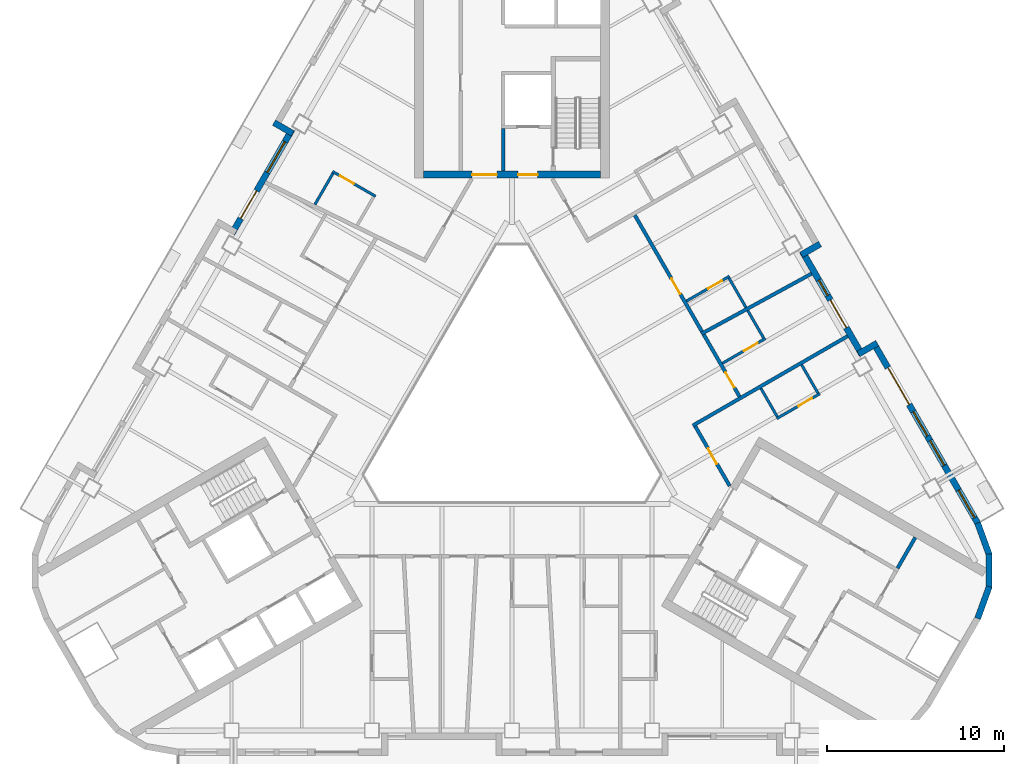
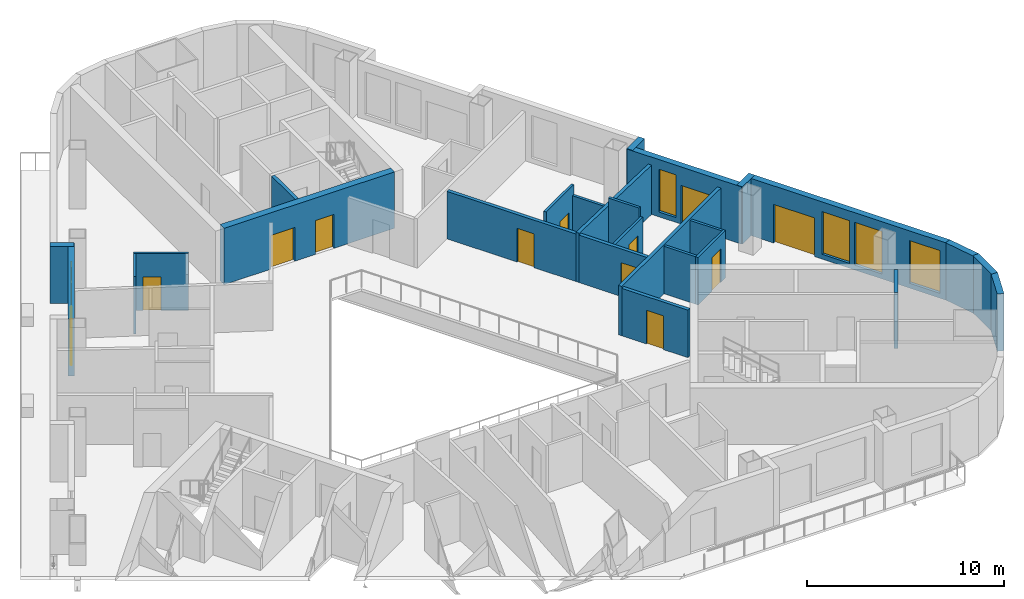
# One storey, part 6 of 14: 26 walls, 12 doors, 5 windows, 17 openings.
"""IFC4 building model written with IfcOpenShell, lengths in metres."""

from ifc_helpers import new_model, si_unit, direction, frame, frame_2d, origin, place, context, subcontext, project, spatial, rectangle, extrude, material, layer, layer_set, type_object, element, fill, save


model = new_model("IFC4")

# Units and contexts
model_context = context("Model", 3, precision=1e-05, world=origin(), true_north=direction((0.0, 1.0)))
body_context = subcontext(model_context, "Body", "Model", "MODEL_VIEW")
ifc_project = project(units=[si_unit("LENGTHUNIT", "METRE"), si_unit("AREAUNIT", "SQUARE_METRE"), si_unit("VOLUMEUNIT", "CUBIC_METRE"), si_unit("PLANEANGLEUNIT", "RADIAN"), si_unit("MASSUNIT", "GRAM", prefix="KILO")], contexts=[model_context])

# Site, building, storey
site_placement = place(None, origin())
site = spatial("IfcSite", under=ifc_project, at=site_placement, CompositionType="ELEMENT")
building_placement = place(site_placement, origin())
building = spatial("IfcBuilding", under=site, at=building_placement, Name="Apuvela Tower Hotel", CompositionType="ELEMENT")
storey_placement = place(building_placement, frame((0.0, 0.0, 150.300048828125)))
storey = spatial("IfcBuildingStorey", under=building, at=storey_placement, Name="L35", CompositionType="ELEMENT", Elevation=150.300048828125)

# Wall, openings, doors
ifc_material_1 = material(Name="Concrete C50/60", Category="concrete")
ifc_layer_1 = layer(ifc_material_1, 0.39990234375)
ifc_layer_set_1 = layer_set([ifc_layer_1], Name="COR-WALL-CORE-400")
wall_type_1 = type_object("IfcWallType", Name="COR-WALL-CORE-400", PredefinedType="SHEAR", material=ifc_layer_set_1)
wall_1_placement = place(storey_placement, frame((5.0, 13.10009765625, 0.0), z_axis=(0.0, 0.0, 1.0), x_axis=(-1.0, 0.0, 0.0)))
wall_1 = element("IfcWall", 1, at=wall_1_placement, inside=storey, type_object=wall_type_1, Name="Core wall N", PredefinedType="SHEAR", context=body_context, shape_type="SweptSolid", body=[
    extrude(rectangle(XDim=10.0, YDim=0.39990234375, at=frame_2d((5.0, 0.0))), origin(), (0.0, 0.0, 1.0), 3.5),
])
opening_1_placement = place(wall_1_placement, frame((3.550048828125, 0.0, 0.0)))
opening_1 = element("IfcOpeningElement", 2, at=opening_1_placement, cuts=wall_1, Name="Opening N-FD", PredefinedType="OPENING", context=body_context, shape_type="SweptSolid", body=[
    extrude(rectangle(XDim=1.10009765625, YDim=2.10009765625, at=frame_2d((0.550048828125, 1.050048828125))), frame((0.0, 0.2099609375, 0.0), z_axis=(0.0, -1.0, 0.0), x_axis=(1.0, 0.0, 0.0)), (0.0, 0.0, 1.0), 0.419921875),
])
opening_2_placement = place(wall_1_placement, frame((5.85009765625, 0.0, 0.0)))
opening_2 = element("IfcOpeningElement", 3, at=opening_2_placement, cuts=wall_1, Name="Opening N-GD", PredefinedType="OPENING", context=body_context, shape_type="SweptSolid", body=[
    extrude(rectangle(XDim=1.39990234375, YDim=2.10009765625, at=frame_2d((0.699951171875, 1.050048828125))), frame((0.0, 0.2099609375, 0.0), z_axis=(0.0, -1.0, 0.0), x_axis=(1.0, 0.0, 0.0)), (0.0, 0.0, 1.0), 0.419921875),
])
ifc_material_2 = material(Name="Steel fire door, powder coated", Category="steel")
door_type_1 = type_object("IfcDoorType", Name="COR-FD-1100", OperationType="NOTDEFINED", PredefinedType="DOOR", material=ifc_material_2)
door_1_placement = place(opening_1_placement, frame((1.10009765625, 0.0, 0.0), z_axis=(0.0, 0.0, 1.0), x_axis=(-1.0, 0.0, 0.0)))
door_1 = element("IfcDoor", 4, at=door_1_placement, inside=storey, type_object=door_type_1, Name="Firefighting lobby door N-FD", OperationType="SINGLE_SWING_LEFT", OverallHeight=2.10009765625, OverallWidth=1.10009765625, PredefinedType="DOOR", context=body_context, shape_type="SweptSolid", body=[
    extrude(rectangle(XDim=1.10009765625, YDim=2.10009765625, at=frame_2d((0.550048828125, 1.050048828125))), frame((0.0, 0.02490234375, 0.0), z_axis=(0.0, -1.0, 0.0), x_axis=(1.0, 0.0, 0.0)), (0.0, 0.0, 1.0), 0.050048828125),
])
fill(opening_1, door_1)
ifc_material_3 = material(Name="Glazed steel fire door", Category="steel")
door_type_2 = type_object("IfcDoorType", Name="COR-GD-1400", OperationType="DOUBLE_DOOR_SINGLE_SWING", PredefinedType="DOOR", material=ifc_material_3)
door_2_placement = place(opening_2_placement, frame((1.39990234375, 0.0, 0.0), z_axis=(0.0, 0.0, 1.0), x_axis=(-1.0, 0.0, 0.0)))
door_2 = element("IfcDoor", 5, at=door_2_placement, inside=storey, type_object=door_type_2, Name="Lift lobby door N-GD", OperationType="DOUBLE_DOOR_SINGLE_SWING", OverallHeight=2.10009765625, OverallWidth=1.39990234375, PredefinedType="DOOR", context=body_context, shape_type="SweptSolid", body=[
    extrude(rectangle(XDim=1.39990234375, YDim=2.10009765625, at=frame_2d((0.699951171875, 1.050048828125))), frame((0.0, 0.02490234375, 0.0), z_axis=(0.0, -1.0, 0.0), x_axis=(1.0, 0.0, 0.0)), (0.0, 0.0, 1.0), 0.050048828125),
])
fill(opening_2, door_2)

# Walls
ifc_layer_2 = layer(ifc_material_1, 0.199951171875)
ifc_layer_set_2 = layer_set([ifc_layer_2], Name="COR-WALL-SHAFT-200")
wall_type_2 = type_object("IfcWallType", Name="COR-WALL-SHAFT-200", PredefinedType="SHEAR", material=ifc_layer_set_2)
wall_2_placement = place(storey_placement, frame((-0.5, 13.300048828125, 0.0), z_axis=(0.0, 0.0, 1.0), x_axis=(0.0, 1.0, 0.0)))
element("IfcWall", 6, at=wall_2_placement, inside=storey, type_object=wall_type_2, Name="Shaft wall N", PredefinedType="SHEAR", context=body_context, shape_type="SweptSolid", body=[
    extrude(rectangle(XDim=2.39990234375, YDim=0.199951171875, at=frame_2d((1.199951171875, 0.0))), origin(), (0.0, 0.0, 1.0), 3.5),
])
wall_3_placement = place(storey_placement, frame((21.73046875, -9.081787109375, 0.0), z_axis=(0.0, 0.0, 1.0), x_axis=(0.50002537861, 0.866010750942, 0.0)))
element("IfcWall", 7, at=wall_3_placement, inside=storey, type_object=wall_type_2, Name="Shaft wall SE", PredefinedType="SHEAR", context=body_context, shape_type="SweptSolid", body=[
    extrude(rectangle(XDim=2.0, YDim=0.199951171875, at=frame_2d((1.0, 0.0))), origin(), (0.0, 0.0, 1.0), 3.5),
])
ifc_material_4 = material(Name="Concrete C40/50, dark pigmented precast panel", Category="concrete")
ifc_layer_3 = layer(ifc_material_4, 0.35009765625)
ifc_layer_set_3 = layer_set([ifc_layer_3], Name="ENV-WALL-350")
wall_type_3 = type_object("IfcWallType", Name="ENV-WALL-350", PredefinedType="SOLIDWALL", material=ifc_layer_set_3)
wall_4_placement = place(storey_placement, frame((-13.41259765625, 16.02880859375, 0.0), z_axis=(0.0, 0.0, 1.0), x_axis=(0.866005645448, -0.500034220881, 0.0)))
element("IfcWall", 8, at=wall_4_placement, inside=storey, type_object=wall_type_3, Name="External wall L35-02", PredefinedType="SOLIDWALL", context=body_context, shape_type="SweptSolid", body=[
    extrude(rectangle(XDim=1.22021484375, YDim=0.35009765625, at=frame_2d((0.610107421875, 0.0))), origin(), (0.0, 0.0, 1.0), 3.550048828125),
])

# Wall, openings, door, window
wall_5_placement = place(storey_placement, frame((-12.408935546875, 15.616943359375, 0.0), z_axis=(0.0, 0.0, 1.0), x_axis=(-0.500003597184, -0.866023326939, 0.0)))
wall_5 = element("IfcWall", 9, at=wall_5_placement, inside=storey, type_object=wall_type_3, Name="External wall L35-03", PredefinedType="SOLIDWALL", context=body_context, shape_type="SweptSolid", body=[
    extrude(rectangle(XDim=6.740234375, YDim=0.35009765625, at=frame_2d((3.3701171875, 0.0))), origin(), (0.0, 0.0, 1.0), 3.550048828125),
])
opening_3_placement = place(wall_5_placement, frame((0.77001953125, 0.0, 0.300048828125)))
opening_3 = element("IfcOpeningElement", 10, at=opening_3_placement, cuts=wall_5, Name="Opening WN20", PredefinedType="OPENING", context=body_context, shape_type="SweptSolid", body=[
    extrude(rectangle(XDim=2.0, YDim=2.64990234375, at=frame_2d((1.0, 1.324951171875))), frame((0.0, 0.18505859375, 0.0), z_axis=(0.0, -1.0, 0.0), x_axis=(1.0, 0.0, 0.0)), (0.0, 0.0, 1.0), 0.3701171875),
])
opening_4_placement = place(wall_5_placement, frame((3.963623046875, 0.0, 0.0)))
opening_4 = element("IfcOpeningElement", 11, at=opening_4_placement, cuts=wall_5, Name="Opening BD18", PredefinedType="OPENING", context=body_context, shape_type="SweptSolid", body=[
    extrude(rectangle(XDim=1.800048828125, YDim=2.39990234375, at=frame_2d((0.89990234375, 1.199951171875))), frame((0.0, 0.18505859375, 0.0), z_axis=(0.0, -1.0, 0.0), x_axis=(1.0, 0.0, 0.0)), (0.0, 0.0, 1.0), 0.3701171875),
])
ifc_material_5 = material(Name="Aluminium 6063-T6, dark bronze anodised frame with dark tinted laminated glass", Category="aluminium")
door_type_3 = type_object("IfcDoorType", Name="ENV-DOOR-BALCONY-1800x2400", OperationType="SLIDING_TO_LEFT", PredefinedType="DOOR", material=ifc_material_5)
door_3_placement = place(opening_4_placement, frame((1.800048828125, 0.0, 0.0), z_axis=(0.0, 0.0, 1.0), x_axis=(-1.0, 0.0, 0.0)))
door_3 = element("IfcDoor", 12, at=door_3_placement, inside=storey, type_object=door_type_3, Name="Balcony door BD18", OperationType="SLIDING_TO_LEFT", OverallHeight=2.39990234375, OverallWidth=1.800048828125, PredefinedType="DOOR", context=body_context, shape_type="SweptSolid", body=[
    extrude(rectangle(XDim=1.800048828125, YDim=2.39990234375, at=frame_2d((0.89990234375, 1.199951171875))), frame((0.0, 0.02490234375, 0.0), z_axis=(0.0, -1.0, 0.0), x_axis=(1.0, 0.0, 0.0)), (0.0, 0.0, 1.0), 0.050048828125),
])
fill(opening_4, door_3)
ifc_material_6 = material(Name="Glass, dark tinted laminated insulated glazing unit", Category="glass")
window_type_1 = type_object("IfcWindowType", Name="ENV-WIN-2000x2650", PartitioningType="SINGLE_PANEL", PredefinedType="WINDOW", material=ifc_material_6)
window_1_placement = place(opening_3_placement, origin())
window_1 = element("IfcWindow", 13, at=window_1_placement, inside=storey, type_object=window_type_1, Name="Window WN20", OverallHeight=2.64990234375, OverallWidth=2.0, PartitioningType="SINGLE_PANEL", PredefinedType="WINDOW", context=body_context, shape_type="SweptSolid", body=[
    extrude(rectangle(XDim=2.0, YDim=2.64990234375, at=frame_2d((1.0, 1.324951171875))), frame((0.0, 0.030029296875, 0.0), z_axis=(0.0, -1.0, 0.0), x_axis=(1.0, 0.0, 0.0)), (0.0, 0.0, 1.0), 0.06005859375),
])
fill(opening_3, window_1)

# Walls
for number, where, z_axis, x_axis, name in (
    (14, (26.24365234375, -11.920166015625, 0.0), (0.0, 0.0, 1.0), (0.342030395486, 0.939688889242, 0.0), "External wall L35-30"),
    (15, (26.88623046875, -10.18505859375, 0.0), (0.0, 0.0, 1.0), (0.0, 1.0, 0.0), "External wall L35-31"),
    (16, (26.89697265625, -8.334716796875, 0.0), (0.0, 0.0, 1.0), (-0.342030395486, 0.939688889242, 0.0), "External wall L35-32"),
):
    element("IfcWall", number, at=place(storey_placement, frame(where, z_axis=z_axis, x_axis=x_axis)), inside=storey, type_object=wall_type_3, Name=name, PredefinedType="SOLIDWALL", context=body_context, shape_type="SweptSolid", body=[
        extrude(rectangle(XDim=1.91015625, YDim=0.35009765625, at=frame_2d((0.955078125, 0.0))), origin(), (0.0, 0.0, 1.0), 3.550048828125),
    ])

# Wall, openings, door, windows
wall_6_placement = place(storey_placement, frame((26.256591796875, -6.5673828125, 0.0), z_axis=(0.0, 0.0, 1.0), x_axis=(-0.500023526245, 0.866011820475, 0.0)))
wall_6 = element("IfcWall", 17, at=wall_6_placement, inside=storey, type_object=wall_type_3, Name="External wall L35-33", PredefinedType="SOLIDWALL", context=body_context, shape_type="SweptSolid", body=[
    extrude(rectangle(XDim=11.81591796875, YDim=0.35009765625, at=frame_2d((5.907958984375, 0.0))), origin(), (0.0, 0.0, 1.0), 3.550048828125),
])
opening_5_placement = place(wall_6_placement, frame((0.380126953125, 0.0, 0.300048828125)))
opening_5 = element("IfcOpeningElement", 18, at=opening_5_placement, cuts=wall_6, Name="Opening WN18", PredefinedType="OPENING", context=body_context, shape_type="SweptSolid", body=[
    extrude(rectangle(XDim=1.800048828125, YDim=2.64990234375, at=frame_2d((0.89990234375, 1.324951171875))), frame((0.0, 0.18505859375, 0.0), z_axis=(0.0, -1.0, 0.0), x_axis=(1.0, 0.0, 0.0)), (0.0, 0.0, 1.0), 0.3701171875),
])
opening_6_placement = place(wall_6_placement, frame((7.7412109375, 0.0, 0.0)))
opening_6 = element("IfcOpeningElement", 19, at=opening_6_placement, cuts=wall_6, Name="Opening BD24", PredefinedType="OPENING", context=body_context, shape_type="SweptSolid", body=[
    extrude(rectangle(XDim=2.39990234375, YDim=2.39990234375, at=frame_2d((1.199951171875, 1.199951171875))), frame((0.0, 0.18505859375, 0.0), z_axis=(0.0, -1.0, 0.0), x_axis=(1.0, 0.0, 0.0)), (0.0, 0.0, 1.0), 0.3701171875),
])
opening_7_placement = place(wall_6_placement, frame((3.791015625, 0.0, 0.300048828125)))
opening_7 = element("IfcOpeningElement", 20, at=opening_7_placement, cuts=wall_6, Name="Opening WN16", PredefinedType="OPENING", context=body_context, shape_type="SweptSolid", body=[
    extrude(rectangle(XDim=1.60009765625, YDim=2.64990234375, at=frame_2d((0.800048828125, 1.324951171875))), frame((0.0, 0.18505859375, 0.0), z_axis=(0.0, -1.0, 0.0), x_axis=(1.0, 0.0, 0.0)), (0.0, 0.0, 1.0), 0.3701171875),
])
opening_8_placement = place(wall_6_placement, frame((5.69091796875, 0.0, 0.300048828125)))
opening_8 = element("IfcOpeningElement", 21, at=opening_8_placement, cuts=wall_6, Name="Opening WN16", PredefinedType="OPENING", context=body_context, shape_type="SweptSolid", body=[
    extrude(rectangle(XDim=1.60009765625, YDim=2.64990234375, at=frame_2d((0.800048828125, 1.324951171875))), frame((0.0, 0.18505859375, 0.0), z_axis=(0.0, -1.0, 0.0), x_axis=(1.0, 0.0, 0.0)), (0.0, 0.0, 1.0), 0.3701171875),
])
door_type_4 = type_object("IfcDoorType", Name="ENV-DOOR-BALCONY-2400x2400", OperationType="SLIDING_TO_LEFT", PredefinedType="DOOR", material=ifc_material_5)
door_4_placement = place(opening_6_placement, frame((2.39990234375, 0.0, 0.0), z_axis=(0.0, 0.0, 1.0), x_axis=(-1.0, 0.0, 0.0)))
door_4 = element("IfcDoor", 22, at=door_4_placement, inside=storey, type_object=door_type_4, Name="Balcony door BD24", OperationType="SLIDING_TO_LEFT", OverallHeight=2.39990234375, OverallWidth=2.39990234375, PredefinedType="DOOR", context=body_context, shape_type="SweptSolid", body=[
    extrude(rectangle(XDim=2.39990234375, YDim=2.39990234375, at=frame_2d((1.199951171875, 1.199951171875))), frame((0.0, 0.02490234375, 0.0), z_axis=(0.0, -1.0, 0.0), x_axis=(1.0, 0.0, 0.0)), (0.0, 0.0, 1.0), 0.050048828125),
])
fill(opening_6, door_4)
window_type_2 = type_object("IfcWindowType", Name="ENV-WIN-1600x2650", PartitioningType="SINGLE_PANEL", PredefinedType="WINDOW", material=ifc_material_6)
window_2_placement = place(opening_7_placement, origin())
window_2 = element("IfcWindow", 23, at=window_2_placement, inside=storey, type_object=window_type_2, Name="Window WN16", OverallHeight=2.64990234375, OverallWidth=1.60009765625, PartitioningType="SINGLE_PANEL", PredefinedType="WINDOW", context=body_context, shape_type="SweptSolid", body=[
    extrude(rectangle(XDim=1.60009765625, YDim=2.64990234375, at=frame_2d((0.800048828125, 1.324951171875))), frame((0.0, 0.030029296875, 0.0), z_axis=(0.0, -1.0, 0.0), x_axis=(1.0, 0.0, 0.0)), (0.0, 0.0, 1.0), 0.06005859375),
])
fill(opening_7, window_2)
window_3_placement = place(opening_8_placement, origin())
window_3 = element("IfcWindow", 24, at=window_3_placement, inside=storey, type_object=window_type_2, Name="Window WN16", OverallHeight=2.64990234375, OverallWidth=1.60009765625, PartitioningType="SINGLE_PANEL", PredefinedType="WINDOW", context=body_context, shape_type="SweptSolid", body=[
    extrude(rectangle(XDim=1.60009765625, YDim=2.64990234375, at=frame_2d((0.800048828125, 1.324951171875))), frame((0.0, 0.030029296875, 0.0), z_axis=(0.0, -1.0, 0.0), x_axis=(1.0, 0.0, 0.0)), (0.0, 0.0, 1.0), 0.06005859375),
])
fill(opening_8, window_3)
window_type_3 = type_object("IfcWindowType", Name="ENV-WIN-1800x2650", PartitioningType="SINGLE_PANEL", PredefinedType="WINDOW", material=ifc_material_6)
window_4_placement = place(opening_5_placement, origin())
window_4 = element("IfcWindow", 25, at=window_4_placement, inside=storey, type_object=window_type_3, Name="Window WN18", OverallHeight=2.64990234375, OverallWidth=1.800048828125, PartitioningType="SINGLE_PANEL", PredefinedType="WINDOW", context=body_context, shape_type="SweptSolid", body=[
    extrude(rectangle(XDim=1.800048828125, YDim=2.64990234375, at=frame_2d((0.89990234375, 1.324951171875))), frame((0.0, 0.030029296875, 0.0), z_axis=(0.0, -1.0, 0.0), x_axis=(1.0, 0.0, 0.0)), (0.0, 0.0, 1.0), 0.06005859375),
])
fill(opening_5, window_4)

# Wall
wall_7_placement = place(storey_placement, frame((20.587646484375, 3.601318359375, 0.0), z_axis=(0.0, 0.0, 1.0), x_axis=(-0.866005645448, -0.500034220881, 0.0)))
element("IfcWall", 26, at=wall_7_placement, inside=storey, type_object=wall_type_3, Name="External wall L35-34", PredefinedType="SOLIDWALL", context=body_context, shape_type="SweptSolid", body=[
    extrude(rectangle(XDim=1.22021484375, YDim=0.35009765625, at=frame_2d((0.610107421875, 0.0))), origin(), (0.0, 0.0, 1.0), 3.550048828125),
])

# Wall, openings, door, window
wall_8_placement = place(storey_placement, frame((19.72900390625, 2.93798828125, 0.0), z_axis=(0.0, 0.0, 1.0), x_axis=(-0.499976430342, 0.866039011305, 0.0)))
wall_8 = element("IfcWall", 27, at=wall_8_placement, inside=storey, type_object=wall_type_3, Name="External wall L35-35", PredefinedType="SOLIDWALL", context=body_context, shape_type="SweptSolid", body=[
    extrude(rectangle(XDim=6.739990234375, YDim=0.35009765625, at=frame_2d((3.3701171875, 0.0))), origin(), (0.0, 0.0, 1.0), 3.550048828125),
])
opening_9_placement = place(wall_8_placement, frame((1.77001953125, 0.0, 0.0)))
opening_9 = element("IfcOpeningElement", 28, at=opening_9_placement, cuts=wall_8, Name="Opening BD18", PredefinedType="OPENING", context=body_context, shape_type="SweptSolid", body=[
    extrude(rectangle(XDim=1.800048828125, YDim=2.39990234375, at=frame_2d((0.89990234375, 1.199951171875))), frame((0.0, 0.18505859375, 0.0), z_axis=(0.0, -1.0, 0.0), x_axis=(1.0, 0.0, 0.0)), (0.0, 0.0, 1.0), 0.3701171875),
])
opening_10_placement = place(wall_8_placement, frame((3.869873046875, 0.0, 0.300048828125)))
opening_10 = element("IfcOpeningElement", 29, at=opening_10_placement, cuts=wall_8, Name="Opening WN10", PredefinedType="OPENING", context=body_context, shape_type="SweptSolid", body=[
    extrude(rectangle(XDim=1.0, YDim=2.64990234375, at=frame_2d((0.5, 1.324951171875))), frame((0.0, 0.18505859375, 0.0), z_axis=(0.0, -1.0, 0.0), x_axis=(1.0, 0.0, 0.0)), (0.0, 0.0, 1.0), 0.3701171875),
])
door_5_placement = place(opening_9_placement, frame((1.800048828125, 0.0, 0.0), z_axis=(0.0, 0.0, 1.0), x_axis=(-1.0, 0.0, 0.0)))
door_5 = element("IfcDoor", 30, at=door_5_placement, inside=storey, type_object=door_type_3, Name="Balcony door BD18", OperationType="SLIDING_TO_LEFT", OverallHeight=2.39990234375, OverallWidth=1.800048828125, PredefinedType="DOOR", context=body_context, shape_type="SweptSolid", body=[
    extrude(rectangle(XDim=1.800048828125, YDim=2.39990234375, at=frame_2d((0.89990234375, 1.199951171875))), frame((0.0, 0.02490234375, 0.0), z_axis=(0.0, -1.0, 0.0), x_axis=(1.0, 0.0, 0.0)), (0.0, 0.0, 1.0), 0.050048828125),
])
fill(opening_9, door_5)
window_type_4 = type_object("IfcWindowType", Name="ENV-WIN-1000x2650", PartitioningType="SINGLE_PANEL", PredefinedType="WINDOW", material=ifc_material_6)
window_5_placement = place(opening_10_placement, origin())
window_5 = element("IfcWindow", 31, at=window_5_placement, inside=storey, type_object=window_type_4, Name="Window WN10", OverallHeight=2.64990234375, OverallWidth=1.0, PartitioningType="SINGLE_PANEL", PredefinedType="WINDOW", context=body_context, shape_type="SweptSolid", body=[
    extrude(rectangle(XDim=1.0, YDim=2.64990234375, at=frame_2d((0.5, 1.324951171875))), frame((0.0, 0.030029296875, 0.0), z_axis=(0.0, -1.0, 0.0), x_axis=(1.0, 0.0, 0.0)), (0.0, 0.0, 1.0), 0.06005859375),
])
fill(opening_10, window_5)

# Walls
wall_9_placement = place(storey_placement, frame((16.305908203125, 8.5771484375, 0.0), z_axis=(0.0, 0.0, 1.0), x_axis=(0.866092288191, 0.499884134912, 0.0)))
element("IfcWall", 32, at=wall_9_placement, inside=storey, type_object=wall_type_3, Name="External wall L35-36", PredefinedType="SOLIDWALL", context=body_context, shape_type="SweptSolid", body=[
    extrude(rectangle(XDim=1.219970703125, YDim=0.35009765625, at=frame_2d((0.60986328125, 0.0))), origin(), (0.0, 0.0, 1.0), 3.550048828125),
])
ifc_material_7 = material(Name="Gypsum board partition on twin steel stud", Category="steel")
ifc_layer_4 = layer(ifc_material_7, 0.199951171875)
ifc_layer_set_4 = layer_set([ifc_layer_4], Name="GST-PW1")
wall_type_4 = type_object("IfcWallType", Name="GST-PW1", PredefinedType="PARTITIONING", material=ifc_layer_set_4)
wall_10_placement = place(storey_placement, frame((18.91748046875, 3.993896484375, 0.0), z_axis=(0.0, 0.0, 1.0), x_axis=(-0.866022637375, -0.500004791531, 0.0)))
element("IfcWall", 33, at=wall_10_placement, inside=storey, type_object=wall_type_4, Name="L35 partition 05", PredefinedType="PARTITIONING", context=body_context, shape_type="SweptSolid", body=[
    extrude(rectangle(XDim=10.080078125, YDim=0.199951171875, at=frame_2d((5.0400390625, 0.0))), origin(), (0.0, 0.0, 1.0), 3.06005859375),
])
wall_11_placement = place(storey_placement, frame((16.884521484375, 7.515380859375, 0.0), z_axis=(0.0, 0.0, 1.0), x_axis=(-0.87760821498, -0.479378577952, 0.0)))
element("IfcWall", 34, at=wall_11_placement, inside=storey, type_object=wall_type_4, Name="L35 partition 06", PredefinedType="PARTITIONING", context=body_context, shape_type="SweptSolid", body=[
    extrude(rectangle(XDim=7.08203125, YDim=0.199951171875, at=frame_2d((3.541015625, 0.0))), origin(), (0.0, 0.0, 1.0), 3.06005859375),
])

# Wall, opening, door
ifc_material_8 = material(Name="Gypsum board corridor wall on twin steel stud, acoustic", Category="steel")
ifc_layer_5 = layer(ifc_material_8, 0.199951171875)
ifc_layer_set_5 = layer_set([ifc_layer_5], Name="GST-PW2")
wall_type_5 = type_object("IfcWallType", Name="GST-PW2", PredefinedType="PARTITIONING", material=ifc_layer_set_5)
wall_12_placement = place(storey_placement, frame((10.32470703125, -1.082763671875, 0.0), z_axis=(0.0, 0.0, 1.0), x_axis=(0.500008716408, -0.866020371305, 0.0)))
wall_12 = element("IfcWall", 35, at=wall_12_placement, inside=storey, type_object=wall_type_5, Name="L35 partition 28", PredefinedType="PARTITIONING", context=body_context, shape_type="SweptSolid", body=[
    extrude(rectangle(XDim=3.88818359375, YDim=0.199951171875, at=frame_2d((1.944091796875, 0.0))), origin(), (0.0, 0.0, 1.0), 2.949951171875),
])
opening_11_placement = place(wall_12_placement, frame((1.444091796875, 0.0, 0.0)))
opening_11 = element("IfcOpeningElement", 36, at=opening_11_placement, cuts=wall_12, Name="Opening GD12-12", PredefinedType="OPENING", context=body_context, shape_type="SweptSolid", body=[
    extrude(rectangle(XDim=1.0, YDim=2.10009765625, at=frame_2d((0.5, 1.050048828125))), frame((0.0, 0.10986328125, 0.0), z_axis=(0.0, -1.0, 0.0), x_axis=(1.0, 0.0, 0.0)), (0.0, 0.0, 1.0), 0.219970703125),
])
ifc_material_9 = material(Name="Timber door leaf in steel frame", Category="steel")
door_type_5 = type_object("IfcDoorType", Name="GST-D1", OperationType="NOTDEFINED", PredefinedType="DOOR", material=ifc_material_9)
door_6_placement = place(opening_11_placement, origin())
door_6 = element("IfcDoor", 37, at=door_6_placement, inside=storey, type_object=door_type_5, Name="Door L35-12", OperationType="SINGLE_SWING_LEFT", OverallHeight=2.10009765625, OverallWidth=1.0, PredefinedType="DOOR", context=body_context, shape_type="SweptSolid", body=[
    extrude(rectangle(XDim=1.0, YDim=2.10009765625, at=frame_2d((0.5, 1.050048828125))), frame((0.0, 0.02490234375, 0.0), z_axis=(0.0, -1.0, 0.0), x_axis=(1.0, 0.0, 0.0)), (0.0, 0.0, 1.0), 0.050048828125),
])
fill(opening_11, door_6)

wall_13_placement = place(storey_placement, frame((10.806884765625, 4.081787109375, 0.0), z_axis=(0.0, 0.0, 1.0), x_axis=(0.500040475235, -0.866002034136, 0.0)))
wall_13 = element("IfcWall", 38, at=wall_13_placement, inside=storey, type_object=wall_type_5, Name="L35 partition 32", PredefinedType="PARTITIONING", context=body_context, shape_type="SweptSolid", body=[
    extrude(rectangle(XDim=4.031494140625, YDim=0.199951171875, at=frame_2d((2.015625, 0.0))), origin(), (0.0, 0.0, 1.0), 2.949951171875),
])
opening_12_placement = place(wall_13_placement, frame((2.452392578125, 0.0, 0.0)))
opening_12 = element("IfcOpeningElement", 39, at=opening_12_placement, cuts=wall_13, Name="Opening GD12-14", PredefinedType="OPENING", context=body_context, shape_type="SweptSolid", body=[
    extrude(rectangle(XDim=1.0, YDim=2.10009765625, at=frame_2d((0.5, 1.050048828125))), frame((0.0, 0.10986328125, 0.0), z_axis=(0.0, -1.0, 0.0), x_axis=(1.0, 0.0, 0.0)), (0.0, 0.0, 1.0), 0.219970703125),
])
door_7_placement = place(opening_12_placement, origin())
door_7 = element("IfcDoor", 40, at=door_7_placement, inside=storey, type_object=door_type_5, Name="Door L35-14", OperationType="SINGLE_SWING_RIGHT", OverallHeight=2.10009765625, OverallWidth=1.0, PredefinedType="DOOR", context=body_context, shape_type="SweptSolid", body=[
    extrude(rectangle(XDim=1.0, YDim=2.10009765625, at=frame_2d((0.5, 1.050048828125))), frame((0.0, 0.02490234375, 0.0), z_axis=(0.0, -1.0, 0.0), x_axis=(1.0, 0.0, 0.0)), (0.0, 0.0, 1.0), 0.050048828125),
])
fill(opening_12, door_7)

wall_14_placement = place(storey_placement, frame((6.922607421875, 10.8095703125, 0.0), z_axis=(0.0, 0.0, 1.0), x_axis=(0.500007257026, -0.866021213898, 0.0)))
wall_14 = element("IfcWall", 41, at=wall_14_placement, inside=storey, type_object=wall_type_5, Name="L35 partition 35", PredefinedType="PARTITIONING", context=body_context, shape_type="SweptSolid", body=[
    extrude(rectangle(XDim=7.56884765625, YDim=0.199951171875, at=frame_2d((3.784423828125, 0.0))), origin(), (0.0, 0.0, 1.0), 2.949951171875),
])
opening_13_placement = place(wall_14_placement, frame((4.120849609375, 0.0, 0.0)))
opening_13 = element("IfcOpeningElement", 42, at=opening_13_placement, cuts=wall_14, Name="Opening GD12-16", PredefinedType="OPENING", context=body_context, shape_type="SweptSolid", body=[
    extrude(rectangle(XDim=1.0, YDim=2.10009765625, at=frame_2d((0.5, 1.050048828125))), frame((0.0, 0.10986328125, 0.0), z_axis=(0.0, -1.0, 0.0), x_axis=(1.0, 0.0, 0.0)), (0.0, 0.0, 1.0), 0.219970703125),
])
door_8_placement = place(opening_13_placement, origin())
door_8 = element("IfcDoor", 43, at=door_8_placement, inside=storey, type_object=door_type_5, Name="Door L35-16", OperationType="SINGLE_SWING_LEFT", OverallHeight=2.10009765625, OverallWidth=1.0, PredefinedType="DOOR", context=body_context, shape_type="SweptSolid", body=[
    extrude(rectangle(XDim=1.0, YDim=2.10009765625, at=frame_2d((0.5, 1.050048828125))), frame((0.0, 0.02490234375, 0.0), z_axis=(0.0, -1.0, 0.0), x_axis=(1.0, 0.0, 0.0)), (0.0, 0.0, 1.0), 0.050048828125),
])
fill(opening_13, door_8)

ifc_material_10 = material(Name="Moisture-resistant gypsum board wet wall on steel stud", Category="steel")
ifc_layer_6 = layer(ifc_material_10, 0.14990234375)
ifc_layer_set_6 = layer_set([ifc_layer_6], Name="GST-PW3")
wall_type_6 = type_object("IfcWallType", Name="GST-PW3", PredefinedType="PARTITIONING", material=ifc_layer_set_6)
wall_15_placement = place(storey_placement, frame((14.92431640625, -0.64990234375, 0.0), z_axis=(0.0, 0.0, 1.0), x_axis=(0.866056369097, 0.49994636267, 0.0)))
wall_15 = element("IfcWall", 44, at=wall_15_placement, inside=storey, type_object=wall_type_6, Name="L35 partition 29", PredefinedType="PARTITIONING", context=body_context, shape_type="SweptSolid", body=[
    extrude(rectangle(XDim=2.800048828125, YDim=0.14990234375, at=frame_2d((1.39990234375, 0.0))), origin(), (0.0, 0.0, 1.0), 2.949951171875),
])
opening_14_placement = place(wall_15_placement, frame((1.39990234375, 0.0, 0.0)))
opening_14 = element("IfcOpeningElement", 45, at=opening_14_placement, cuts=wall_15, Name="Opening GD12-11", PredefinedType="OPENING", context=body_context, shape_type="SweptSolid", body=[
    extrude(rectangle(XDim=0.89990234375, YDim=2.10009765625, at=frame_2d((0.449951171875, 1.050048828125))), frame((0.0, 0.0849609375, 0.0), z_axis=(0.0, -1.0, 0.0), x_axis=(1.0, 0.0, 0.0)), (0.0, 0.0, 1.0), 0.169921875),
])
door_type_6 = type_object("IfcDoorType", Name="GST-D2", OperationType="NOTDEFINED", PredefinedType="DOOR", material=ifc_material_9)
door_9_placement = place(opening_14_placement, origin())
door_9 = element("IfcDoor", 46, at=door_9_placement, inside=storey, type_object=door_type_6, Name="Door L35-11", OperationType="SINGLE_SWING_RIGHT", OverallHeight=2.10009765625, OverallWidth=0.89990234375, PredefinedType="DOOR", context=body_context, shape_type="SweptSolid", body=[
    extrude(rectangle(XDim=0.89990234375, YDim=2.10009765625, at=frame_2d((0.449951171875, 1.050048828125))), frame((0.0, 0.02490234375, 0.0), z_axis=(0.0, -1.0, 0.0), x_axis=(1.0, 0.0, 0.0)), (0.0, 0.0, 1.0), 0.050048828125),
])
fill(opening_14, door_9)

# Walls
for number, where, z_axis, x_axis, name in (
    (47, (17.246826171875, 0.777587890625, 0.0), (0.0, 0.0, 1.0), (-0.500042316284, 0.866000971088, 0.0), "L35 partition 30"),
    (48, (14.951904296875, -0.54736328125, 0.0), (0.0, 0.0, 1.0), (-0.500042316284, 0.866000971088, 0.0), "L35 partition 31"),
):
    element("IfcWall", number, at=place(storey_placement, frame(where, z_axis=z_axis, x_axis=x_axis)), inside=storey, type_object=wall_type_6, Name=name, PredefinedType="PARTITIONING", context=body_context, shape_type="SweptSolid", body=[
        extrude(rectangle(XDim=1.849853515625, YDim=0.14990234375, at=frame_2d((0.9248046875, 0.0))), origin(), (0.0, 0.0, 1.0), 2.949951171875),
    ])

# Wall, opening, door
wall_16_placement = place(storey_placement, frame((11.857421875, 2.462646484375, 0.0), z_axis=(0.0, 0.0, 1.0), x_axis=(0.866034573852, 0.49998411664, 0.0)))
wall_16 = element("IfcWall", 49, at=wall_16_placement, inside=storey, type_object=wall_type_6, Name="L35 partition 33", PredefinedType="PARTITIONING", context=body_context, shape_type="SweptSolid", body=[
    extrude(rectangle(XDim=2.7998046875, YDim=0.14990234375, at=frame_2d((1.39990234375, 0.0))), origin(), (0.0, 0.0, 1.0), 2.949951171875),
])
opening_15_placement = place(wall_16_placement, frame((1.39990234375, 0.0, 0.0)))
opening_15 = element("IfcOpeningElement", 50, at=opening_15_placement, cuts=wall_16, Name="Opening GD12-13", PredefinedType="OPENING", context=body_context, shape_type="SweptSolid", body=[
    extrude(rectangle(XDim=0.89990234375, YDim=2.10009765625, at=frame_2d((0.449951171875, 1.050048828125))), frame((0.0, 0.0849609375, 0.0), z_axis=(0.0, -1.0, 0.0), x_axis=(1.0, 0.0, 0.0)), (0.0, 0.0, 1.0), 0.169921875),
])
door_10_placement = place(opening_15_placement, origin())
door_10 = element("IfcDoor", 51, at=door_10_placement, inside=storey, type_object=door_type_6, Name="Door L35-13", OperationType="SINGLE_SWING_RIGHT", OverallHeight=2.10009765625, OverallWidth=0.89990234375, PredefinedType="DOOR", context=body_context, shape_type="SweptSolid", body=[
    extrude(rectangle(XDim=0.89990234375, YDim=2.10009765625, at=frame_2d((0.449951171875, 1.050048828125))), frame((0.0, 0.02490234375, 0.0), z_axis=(0.0, -1.0, 0.0), x_axis=(1.0, 0.0, 0.0)), (0.0, 0.0, 1.0), 0.050048828125),
])
fill(opening_15, door_10)

# Wall
wall_17_placement = place(storey_placement, frame((14.1796875, 3.889892578125, 0.0), z_axis=(0.0, 0.0, 1.0), x_axis=(-0.500006500783, 0.866021650523, 0.0)))
element("IfcWall", 52, at=wall_17_placement, inside=storey, type_object=wall_type_6, Name="L35 partition 34", PredefinedType="PARTITIONING", context=body_context, shape_type="SweptSolid", body=[
    extrude(rectangle(XDim=1.78564453125, YDim=0.14990234375, at=frame_2d((0.892822265625, 0.0))), origin(), (0.0, 0.0, 1.0), 3.550048828125),
])

# Wall, opening, door
wall_18_placement = place(storey_placement, frame((12.257080078125, 7.3701171875, 0.0), z_axis=(0.0, 0.0, 1.0), x_axis=(-0.865996816683, -0.500049511043, 0.0)))
wall_18 = element("IfcWall", 53, at=wall_18_placement, inside=storey, type_object=wall_type_6, Name="L35 partition 36", PredefinedType="PARTITIONING", context=body_context, shape_type="SweptSolid", body=[
    extrude(rectangle(XDim=2.800048828125, YDim=0.14990234375, at=frame_2d((1.39990234375, 0.0))), origin(), (0.0, 0.0, 1.0), 3.550048828125),
])
opening_16_placement = place(wall_18_placement, frame((0.5, 0.0, 0.0)))
opening_16 = element("IfcOpeningElement", 54, at=opening_16_placement, cuts=wall_18, Name="Opening GD12-15", PredefinedType="OPENING", context=body_context, shape_type="SweptSolid", body=[
    extrude(rectangle(XDim=0.89990234375, YDim=2.10009765625, at=frame_2d((0.449951171875, 1.050048828125))), frame((0.0, 0.0849609375, 0.0), z_axis=(0.0, -1.0, 0.0), x_axis=(1.0, 0.0, 0.0)), (0.0, 0.0, 1.0), 0.169921875),
])
door_11_placement = place(opening_16_placement, origin())
door_11 = element("IfcDoor", 55, at=door_11_placement, inside=storey, type_object=door_type_6, Name="Door L35-15", OperationType="SINGLE_SWING_LEFT", OverallHeight=2.10009765625, OverallWidth=0.89990234375, PredefinedType="DOOR", context=body_context, shape_type="SweptSolid", body=[
    extrude(rectangle(XDim=0.89990234375, YDim=2.10009765625, at=frame_2d((0.449951171875, 1.050048828125))), frame((0.0, 0.02490234375, 0.0), z_axis=(0.0, -1.0, 0.0), x_axis=(1.0, 0.0, 0.0)), (0.0, 0.0, 1.0), 0.050048828125),
])
fill(opening_16, door_11)

# Wall
wall_19_placement = place(storey_placement, frame((13.18701171875, 5.609619140625, 0.0), z_axis=(0.0, 0.0, 1.0), x_axis=(-0.500020498207, 0.866013568815, 0.0)))
element("IfcWall", 56, at=wall_19_placement, inside=storey, type_object=wall_type_6, Name="L35 partition 37", PredefinedType="PARTITIONING", context=body_context, shape_type="SweptSolid", body=[
    extrude(rectangle(XDim=1.91455078125, YDim=0.14990234375, at=frame_2d((0.957275390625, 0.0))), origin(), (0.0, 0.0, 1.0), 2.949951171875),
])

# Wall, opening, door
wall_20_placement = place(storey_placement, frame((-7.69189453125, 11.877197265625, 0.0), z_axis=(0.0, 0.0, 1.0), x_axis=(-0.866034573852, 0.49998411664, 0.0)))
wall_20 = element("IfcWall", 57, at=wall_20_placement, inside=storey, type_object=wall_type_6, Name="L35 partition 43", PredefinedType="PARTITIONING", context=body_context, shape_type="SweptSolid", body=[
    extrude(rectangle(XDim=2.7998046875, YDim=0.14990234375, at=frame_2d((1.39990234375, 0.0))), origin(), (0.0, 0.0, 1.0), 3.550048828125),
])
opening_17_placement = place(wall_20_placement, frame((1.39990234375, 0.0, 0.0)))
opening_17 = element("IfcOpeningElement", 58, at=opening_17_placement, cuts=wall_20, Name="Opening GD12-19", PredefinedType="OPENING", context=body_context, shape_type="SweptSolid", body=[
    extrude(rectangle(XDim=0.89990234375, YDim=2.10009765625, at=frame_2d((0.449951171875, 1.050048828125))), frame((0.0, 0.0849609375, 0.0), z_axis=(0.0, -1.0, 0.0), x_axis=(1.0, 0.0, 0.0)), (0.0, 0.0, 1.0), 0.169921875),
])
door_12_placement = place(opening_17_placement, origin())
door_12 = element("IfcDoor", 59, at=door_12_placement, inside=storey, type_object=door_type_6, Name="Door L35-19", OperationType="SINGLE_SWING_RIGHT", OverallHeight=2.10009765625, OverallWidth=0.89990234375, PredefinedType="DOOR", context=body_context, shape_type="SweptSolid", body=[
    extrude(rectangle(XDim=0.89990234375, YDim=2.10009765625, at=frame_2d((0.449951171875, 1.050048828125))), frame((0.0, 0.02490234375, 0.0), z_axis=(0.0, -1.0, 0.0), x_axis=(1.0, 0.0, 0.0)), (0.0, 0.0, 1.0), 0.050048828125),
])
fill(opening_17, door_12)

# Wall
wall_21_placement = place(storey_placement, frame((-10.08935546875, 13.1748046875, 0.0), z_axis=(0.0, 0.0, 1.0), x_axis=(-0.499988401207, -0.866032100247, 0.0)))
element("IfcWall", 60, at=wall_21_placement, inside=storey, type_object=wall_type_6, Name="L35 partition 44", PredefinedType="PARTITIONING", context=body_context, shape_type="SweptSolid", body=[
    extrude(rectangle(XDim=2.03955078125, YDim=0.14990234375, at=frame_2d((1.019775390625, 0.0))), origin(), (0.0, 0.0, 1.0), 3.550048828125),
])

save(model, "model.ifc")
